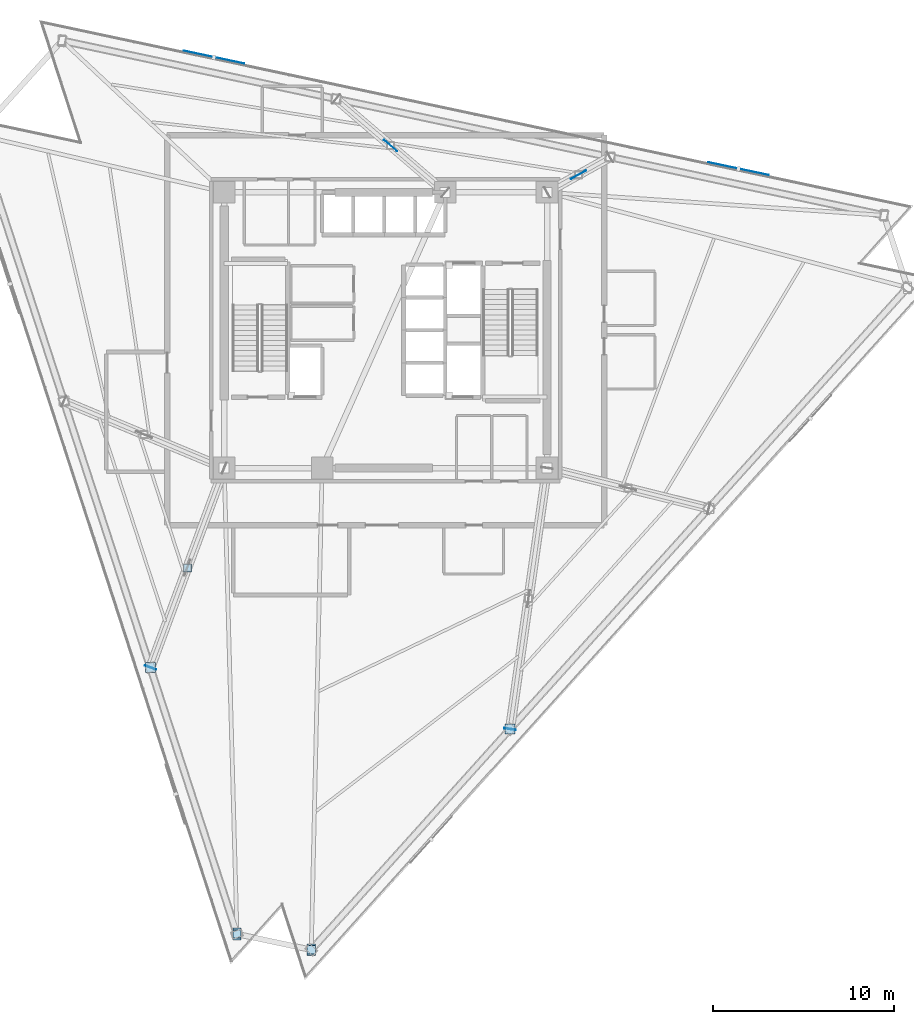
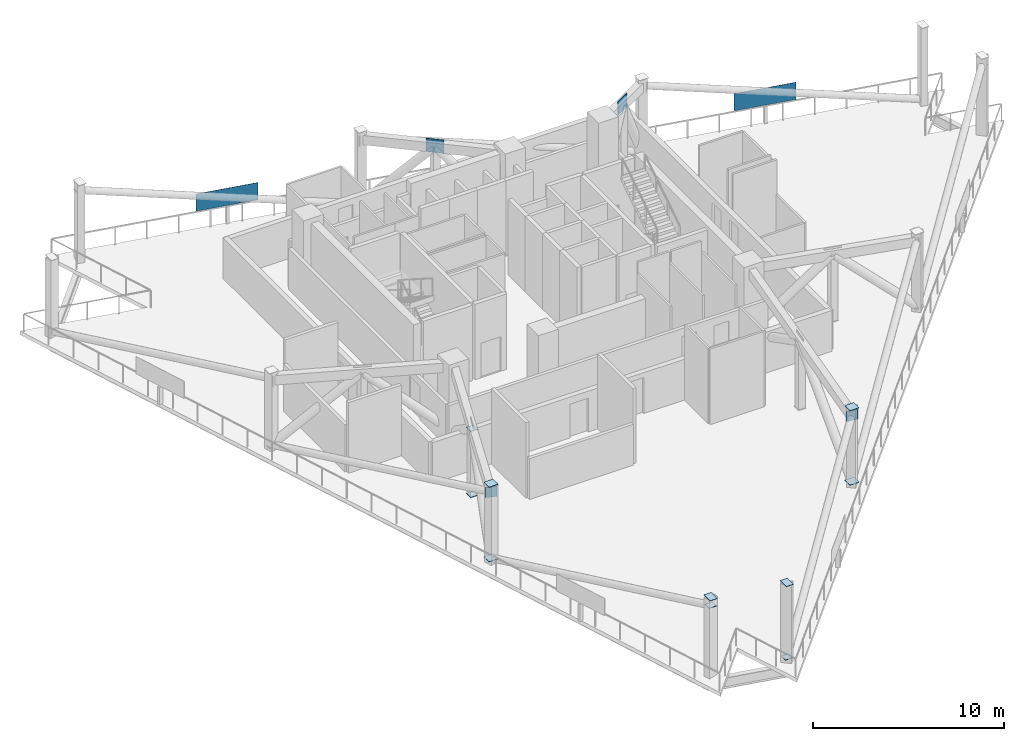
# One storey, part 5 of 15: 16 plates.
"""IFC4 building model written with IfcOpenShell, lengths in metres."""

from ifc_helpers import new_model, si_unit, direction, frame, origin, origin_2d, place, context, subcontext, project, spatial, rectangle, extrude, material, layer, layer_set, type_object, element, save


model = new_model("IFC4")

# Units and contexts
model_context = context("Model", 3, precision=1e-05, world=origin(), true_north=direction((0.0, 1.0)))
body_context = subcontext(model_context, "Body", "Model", "MODEL_VIEW")
ifc_project = project(units=[si_unit("LENGTHUNIT", "METRE"), si_unit("AREAUNIT", "SQUARE_METRE"), si_unit("VOLUMEUNIT", "CUBIC_METRE"), si_unit("PLANEANGLEUNIT", "RADIAN"), si_unit("MASSUNIT", "GRAM", prefix="KILO")], contexts=[model_context])

# Site, building, storey
site_placement = place(None, origin())
site = spatial("IfcSite", under=ifc_project, at=site_placement, CompositionType="ELEMENT")
building_placement = place(site_placement, origin())
building = spatial("IfcBuilding", under=site, at=building_placement, Name="Tharavind Bronze Gate", CompositionType="ELEMENT")
storey_placement = place(building_placement, frame((0.0, 0.0, 222.050048828125)))
storey = spatial("IfcBuildingStorey", under=building, at=storey_placement, Name="L57", CompositionType="ELEMENT", Elevation=222.050048828125)

# Plates
ifc_material_1 = material(Name="Perforated Bronze Alloy", Category="bronze")
ifc_layer_1 = layer(ifc_material_1, 0.011962890625)
ifc_layer_set_1 = layer_set([ifc_layer_1], Name="Perforated Bronze Alloy")
plate_type_1 = type_object("IfcPlateType", Name="BRONZE PERFORATED SOLAR SCREEN", PredefinedType="USERDEFINED", material=ifc_layer_set_1)
for number, where, z_axis, x_axis, name in (
    (1, (19.45458984375, 8.904541015625, 1.099853515625), (0.0, 0.0, 1.0), (-0.978147600734, 0.207911690818, 0.0), "L57 wind floor acoustic bronze baffle 3.1"),
    (2, (-9.467529296875, 15.05224609375, 1.099853515625), (0.0, 0.0, 1.0), (-0.978147600734, 0.207911690818, 0.0), "L57 wind floor acoustic bronze baffle 3.2"),
):
    element("IfcPlate", number, at=place(storey_placement, frame(where, z_axis=z_axis, x_axis=x_axis)), inside=storey, type_object=plate_type_1, Name=name, ObjectType="SCREEN", PredefinedType="USERDEFINED", context=body_context, shape_type="SweptSolid", body=[
        extrude(rectangle(XDim=3.39990234375, YDim=0.011962890625, at=origin_2d()), origin(), (0.0, 0.0, 1.0), 1.10009765625),
    ])
ifc_material_2 = material(Name="Steel S460", Category="steel")
ifc_layer_2 = layer(ifc_material_2, 0.02490234375)
ifc_layer_set_2 = layer_set([ifc_layer_2], Name="Steel S460")
plate_type_2 = type_object("IfcPlateType", Name="STEEL END CAP SHEET 25", PredefinedType="SHEET", material=ifc_layer_set_2)
plate_1_placement = place(storey_placement, frame((-12.9697265625, -18.60205078125, 4.987548828125), z_axis=(0.0, 0.0, 1.0), x_axis=(1.0, 0.0, 0.0)))
element("IfcPlate", 3, at=plate_1_placement, inside=storey, type_object=plate_type_2, Name="Steel end cap plate CAP-COLT-L57-S1C3", PredefinedType="SHEET", context=body_context, shape_type="SweptSolid", body=[
    extrude(rectangle(XDim=0.544921875, YDim=0.544921875, at=origin_2d()), origin(), (0.0, 0.0, 1.0), 0.02490234375),
])
for number, where, z_axis, x_axis, name in (
    (4, (-8.197021484375, -33.29150390625, 4.987548828125), (0.0, 0.0, 1.0), (1.0, 0.0, 0.0), "Steel end cap plate CAP-COLT-L57-S1C4"),
    (5, (-4.100341796875, -34.162353515625, 4.987548828125), (0.0, 0.0, 1.0), (1.0, 0.0, 0.0), "Steel end cap plate CAP-COLT-L57-S2C1"),
):
    element("IfcPlate", number, at=place(storey_placement, frame(where, z_axis=z_axis, x_axis=x_axis)), inside=storey, type_object=plate_type_2, Name=name, PredefinedType="SHEET", context=body_context, shape_type="SweptSolid", body=[
        extrude(rectangle(XDim=0.445068359375, YDim=0.64501953125, at=origin_2d()), origin(), (0.0, 0.0, 1.0), 0.02490234375),
    ])
plate_2_placement = place(storey_placement, frame((6.857421875, -21.992431640625, 4.987548828125), z_axis=(0.0, 0.0, 1.0), x_axis=(1.0, 0.0, 0.0)))
element("IfcPlate", 6, at=plate_2_placement, inside=storey, type_object=plate_type_2, Name="Steel end cap plate CAP-COLT-L57-S2C2", PredefinedType="SHEET", context=body_context, shape_type="SweptSolid", body=[
    extrude(rectangle(XDim=0.544921875, YDim=0.544921875, at=origin_2d()), origin(), (0.0, 0.0, 1.0), 0.02490234375),
])
plate_3_placement = place(storey_placement, frame((-12.9697265625, -18.60205078125, 4.137451171875), z_axis=(0.0, 0.0, 1.0), x_axis=(0.346938925421, 0.937887723572, 0.0)))
element("IfcPlate", 7, at=plate_3_placement, inside=storey, type_object=plate_type_2, Name="Steel end cap plate CAP-L57-OCH2B", PredefinedType="SHEET", context=body_context, shape_type="SweptSolid", body=[
    extrude(rectangle(XDim=0.0400390625, YDim=0.64501953125, at=origin_2d()), origin(), (0.0, 0.0, 1.0), 0.64501953125),
])
plate_4_placement = place(storey_placement, frame((-12.9697265625, -18.60205078125, 0.237548828125), z_axis=(0.0, 0.0, 1.0), x_axis=(1.0, 0.0, 0.0)))
element("IfcPlate", 8, at=plate_4_placement, inside=storey, type_object=plate_type_2, Name="Steel end cap plate CAP-L57-OBR2-2B", PredefinedType="SHEET", context=body_context, shape_type="SweptSolid", body=[
    extrude(rectangle(XDim=0.552978515625, YDim=0.552978515625, at=origin_2d()), origin(), (0.0, 0.0, 1.0), 0.02490234375),
])
plate_5_placement = place(storey_placement, frame((6.857421875, -21.992431640625, 4.137451171875), z_axis=(0.0, 0.0, 1.0), x_axis=(0.140519351753, 0.990077932176, 0.0)))
element("IfcPlate", 9, at=plate_5_placement, inside=storey, type_object=plate_type_2, Name="Steel end cap plate CAP-L57-OCH3B", PredefinedType="SHEET", context=body_context, shape_type="SweptSolid", body=[
    extrude(rectangle(XDim=0.0400390625, YDim=0.64501953125, at=origin_2d()), origin(), (0.0, 0.0, 1.0), 0.64501953125),
])
plate_6_placement = place(storey_placement, frame((6.857421875, -21.992431640625, 0.237548828125), z_axis=(0.0, 0.0, 1.0), x_axis=(1.0, 0.0, 0.0)))
element("IfcPlate", 10, at=plate_6_placement, inside=storey, type_object=plate_type_2, Name="Steel end cap plate CAP-L57-OBR3-2B", PredefinedType="SHEET", context=body_context, shape_type="SweptSolid", body=[
    extrude(rectangle(XDim=0.552978515625, YDim=0.552978515625, at=origin_2d()), origin(), (0.0, 0.0, 1.0), 0.02490234375),
])
ifc_material_3 = material(Name="Steel S355", Category="steel")
ifc_layer_3 = layer(ifc_material_3, 0.02490234375)
ifc_layer_set_3 = layer_set([ifc_layer_3], Name="Steel S355")
plate_type_3 = type_object("IfcPlateType", Name="STEEL END CAP SHEET S355 25", PredefinedType="SHEET", material=ifc_layer_set_3)
for number, where, z_axis, x_axis, name in (
    (11, (-10.934814453125, -13.10107421875, 0.237548828125), (0.0, 0.0, 1.0), (1.0, 0.0, 0.0), "Steel end cap plate CAP-L57-OST2A"),
    (12, (-10.934814453125, -13.10107421875, 4.447509765625), (0.0, 0.0, 1.0), (1.0, 0.0, 0.0), "Steel end cap plate CAP-L57-OST2B"),
):
    element("IfcPlate", number, at=place(storey_placement, frame(where, z_axis=z_axis, x_axis=x_axis)), inside=storey, type_object=plate_type_3, Name=name, PredefinedType="SHEET", context=body_context, shape_type="SweptSolid", body=[
        extrude(rectangle(XDim=0.445068359375, YDim=0.445068359375, at=origin_2d()), origin(), (0.0, 0.0, 1.0), 0.02490234375),
    ])
for number, where, z_axis, x_axis, name in (
    (13, (-8.197021484375, -33.29150390625, 4.447509765625), (0.0, 0.0, 1.0), (1.0, 0.0, 0.0), "Steel end cap plate CAP-L57-BLT1-3B"),
    (14, (-4.100341796875, -34.162353515625, 0.237548828125), (0.0, 0.0, 1.0), (1.0, 0.0, 0.0), "Steel end cap plate CAP-L57-BLT2-1A"),
):
    element("IfcPlate", number, at=place(storey_placement, frame(where, z_axis=z_axis, x_axis=x_axis)), inside=storey, type_object=plate_type_3, Name=name, PredefinedType="SHEET", context=body_context, shape_type="SweptSolid", body=[
        extrude(rectangle(XDim=0.451416015625, YDim=0.451416015625, at=origin_2d()), origin(), (0.0, 0.0, 1.0), 0.02490234375),
    ])
ifc_layer_4 = layer(ifc_material_2, 0.028076171875)
ifc_layer_set_4 = layer_set([ifc_layer_4], Name="Steel S460")
plate_type_4 = type_object("IfcPlateType", Name="STEEL NODE GUSSET PLATE 28", PredefinedType="USERDEFINED", material=ifc_layer_set_4)
for number, where, z_axis, x_axis, name in (
    (15, (10.635498046875, 8.57080078125, 4.034912109375), (0.0, 0.0, 1.0), (0.872746616852, 0.488173476106, 0.0), "Node N3 outrigger truss gusset plate 5"),
    (16, (0.271484375, 10.17626953125, 4.034912109375), (0.0, 0.0, 1.0), (-0.75956313547, 0.650433580956, 0.0), "Node N3 outrigger truss gusset plate 6"),
):
    element("IfcPlate", number, at=place(storey_placement, frame(where, z_axis=z_axis, x_axis=x_axis)), inside=storey, type_object=plate_type_4, Name=name, ObjectType="GUSSET PLATE", PredefinedType="USERDEFINED", context=body_context, shape_type="SweptSolid", body=[
        extrude(rectangle(XDim=0.949951171875, YDim=0.028076171875, at=origin_2d()), origin(), (0.0, 0.0, 1.0), 0.85009765625),
    ])

save(model, "model.ifc")
